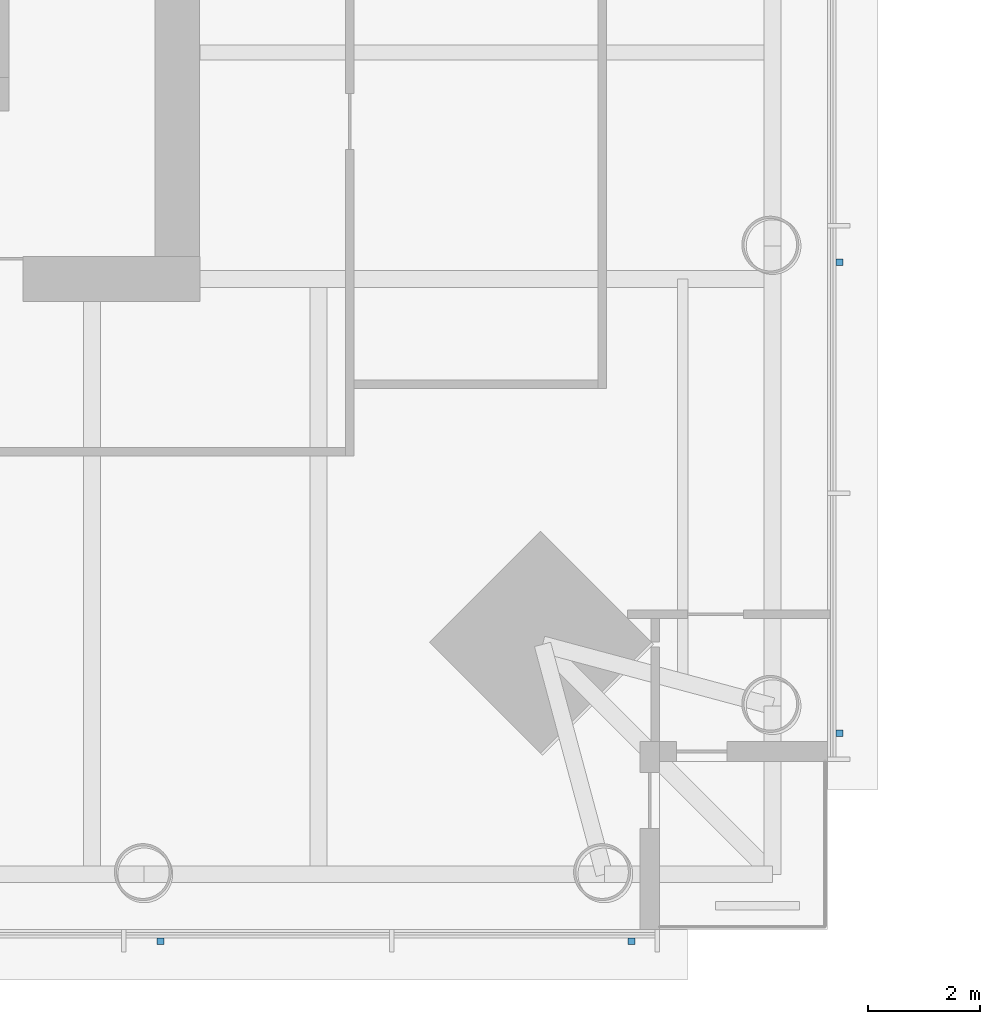
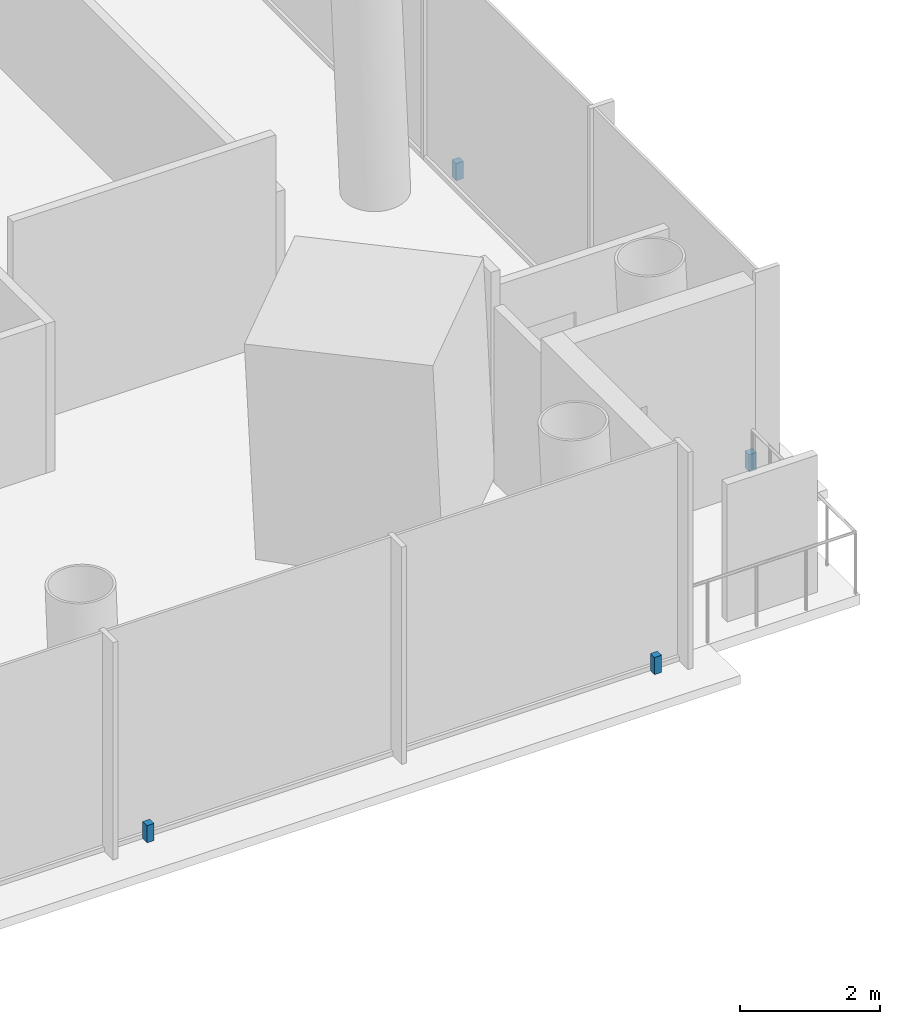
# One storey, part 19 of 26: 4 discrete accessories.
"""IFC4 building model written with IfcOpenShell, lengths in metres."""

import ifcopenshell
import ifcopenshell.guid

model = None  # the IFC model being written
_history = None  # IfcOwnerHistory: only IFC2X3 demands one
_inside = {}  # id of a spatial element -> (the spatial element, [elements in it])
_under = {}  # id of a project, library or spatial element -> (it, [spatial elements below it])
_declared = {}  # id of a project -> (the project, [libraries it declares])
_typed = {}  # id of a type object -> (the type object, [elements of that type])
_made_of = {}  # id of a material, layer set ... -> (it, [elements and type objects made of it])


def new_model(schema):
    """Start an empty IFC model of exactly this schema.

    Asked for "IFC4X3", IfcOpenShell would pick the latest addendum, in which some entities
    have other attributes; the version numbers below select the first issue.
    IFC2X3 requires an IfcOwnerHistory on every rooted entity: one is made here for all.
    """
    global model, _history
    if schema == "IFC4X3":
        model = ifcopenshell.file(schema_version=(4, 3, 0, 0))
    else:
        model = ifcopenshell.file(schema=schema)
    _inside.clear()
    _under.clear()
    _declared.clear()
    _typed.clear()
    _made_of.clear()
    _history = None
    if model.schema == "IFC2X3":
        org = make("IfcOrganization", Name="unknown")
        user = make(
            "IfcPersonAndOrganization",
            ThePerson=make("IfcPerson", FamilyName="unknown"),
            TheOrganization=org,
        )
        app = make(
            "IfcApplication",
            ApplicationDeveloper=org,
            Version="unknown",
            ApplicationFullName="unknown",
            ApplicationIdentifier="unknown",
        )
        _history = make(
            "IfcOwnerHistory",
            OwningUser=user,
            OwningApplication=app,
            ChangeAction="ADDED",
            CreationDate=0,
        )
    return model


def make(cls, **values):
    """One entity of the class cls with the attributes given. An attribute that is None is left unset."""
    return model.create_entity(
        cls, **{name: value for name, value in values.items() if value is not None}
    )


def rooted(cls, **values):
    """An entity with a GlobalId (a new one), such as an element, a storey or a relation."""
    return make(cls, GlobalId=ifcopenshell.guid.new(), OwnerHistory=_history, **values)


def si_unit(unit_type, name, prefix=None):
    """IfcSIUnit, for example si_unit("LENGTHUNIT", "METRE", prefix="MILLI")."""
    return make("IfcSIUnit", UnitType=unit_type, Prefix=prefix, Name=name)


def assignment(units):
    """IfcUnitAssignment: the units of a project."""
    return None if units is None else make("IfcUnitAssignment", Units=units)


def point(xyz):
    """IfcCartesianPoint."""
    return None if xyz is None else make("IfcCartesianPoint", Coordinates=xyz)


def direction(xyz):
    """IfcDirection."""
    return None if xyz is None else make("IfcDirection", DirectionRatios=xyz)


def frame(location, z_axis=None, x_axis=None):
    """IfcAxis2Placement3D, a coordinate frame: its origin and axes. An axis left out is left unset."""
    return make(
        "IfcAxis2Placement3D",
        Location=point(location),
        Axis=direction(z_axis),
        RefDirection=direction(x_axis),
    )


def frame_2d(location, x_axis=None):
    """IfcAxis2Placement2D, a coordinate frame in the plane: its origin and x axis."""
    return make(
        "IfcAxis2Placement2D", Location=point(location), RefDirection=direction(x_axis)
    )


def origin():
    """The frame at (0, 0, 0) with its axes left unset."""
    return frame((0.0, 0.0, 0.0))


def origin_2d():
    """The frame at (0, 0) in the plane with its x axis left unset."""
    return frame_2d((0.0, 0.0))


def place(relative_to, where):
    """IfcLocalPlacement: puts the frame where relative to a parent placement (None: the world)."""
    return make(
        "IfcLocalPlacement", PlacementRelTo=relative_to, RelativePlacement=where
    )


def context(
    kind, dimensions, precision=None, world=None, true_north=None, identifier=None
):
    """IfcGeometricRepresentationContext, for example the 3D "Model" context."""
    return make(
        "IfcGeometricRepresentationContext",
        ContextIdentifier=identifier,
        ContextType=kind,
        CoordinateSpaceDimension=dimensions,
        Precision=precision,
        WorldCoordinateSystem=world,
        TrueNorth=true_north,
    )


def subcontext(parent, identifier, kind, view, scale=None):
    """IfcGeometricRepresentationSubContext, for example "Body" below "Model"."""
    return make(
        "IfcGeometricRepresentationSubContext",
        ContextIdentifier=identifier,
        ContextType=kind,
        ParentContext=parent,
        TargetScale=scale,
        TargetView=view,
    )


def project(units=None, contexts=None):
    """IfcProject with its units and contexts."""
    return rooted(
        "IfcProject",
        Name="project",
        RepresentationContexts=contexts,
        UnitsInContext=assignment(units),
    )


def spatial(cls, under=None, at=None, **own):
    """A site, building, storey or space (cls), placed at a placement, below another one or the project."""
    s = rooted(cls, ObjectPlacement=at, **own)
    if under is not None:
        _under.setdefault(under.id(), (under, []))[1].append(s)
    return s


def profile(cls, at=None, kind="AREA", **sizes):
    """A parametric profile (cls). Its sizes go by their IFC names, for example OverallWidth=200.0."""
    return make(cls, ProfileType=kind, Position=at, **sizes)


def rectangle(**sizes):
    """IfcRectangleProfileDef."""
    return profile("IfcRectangleProfileDef", **sizes)


def extrude(swept, where, along, depth):
    """IfcExtrudedAreaSolid: the profile swept, set in the frame where, extruded along a direction by depth."""
    return make(
        "IfcExtrudedAreaSolid",
        SweptArea=swept,
        Position=where,
        ExtrudedDirection=direction(along),
        Depth=depth,
    )


def shape(context_of_items, identifier, shape_type, items):
    """IfcShapeRepresentation: the items that make up one representation, for example the "Body"."""
    return make(
        "IfcShapeRepresentation",
        ContextOfItems=context_of_items,
        RepresentationIdentifier=identifier,
        RepresentationType=shape_type,
        Items=items,
    )


def material(Name=None, Category=None):
    """IfcMaterial."""
    return make("IfcMaterial", Name=Name, Category=Category)


def made_of(thing, what):
    """Note that an element or type object is made of a material, layer set ...; save() writes the relation."""
    if what is not None:
        _made_of.setdefault(what.id(), (what, []))[1].append(thing)
    return thing


def type_object(cls, material=None, **own):
    """A type object (cls), such as IfcWallType, which elements share."""
    return made_of(rooted(cls, **own), material)


def element(
    cls,
    number,
    at=None,
    inside=None,
    cuts=None,
    type_object=None,
    material=None,
    context=None,
    identifier="Body",
    shape_type=None,
    held_by="IfcProductDefinitionShape",
    body=None,
    shapes=None,
    **own,
):
    """One element of the class cls, such as IfcWall. Its Tag is "e" and its number.

    at: its placement. inside: the storey or other place that contains it. cuts: it is an
    opening in that element (IfcRelVoidsElement). A single representation is given by context,
    identifier, shape_type and body (its items); several are given by shapes. held_by: the class
    of the entity that holds the representations. save() writes the other relations.
    """
    e = rooted(cls, Tag="e%d" % number, ObjectPlacement=at, **own)
    if body is not None:
        shapes = [shape(context, identifier, shape_type, body)]
    if shapes is not None:
        e.Representation = make(held_by, Representations=shapes)
    if inside is not None:
        _inside.setdefault(inside.id(), (inside, []))[1].append(e)
    if cuts is not None:
        rooted(
            "IfcRelVoidsElement", RelatingBuildingElement=cuts, RelatedOpeningElement=e
        )
    if type_object is not None:
        _typed.setdefault(type_object.id(), (type_object, []))[1].append(e)
    return made_of(e, material)


def aggregate(whole, parts):
    """IfcRelAggregates: a whole, such as a stair, and the parts it consists of."""
    return rooted("IfcRelAggregates", RelatingObject=whole, RelatedObjects=parts)


def save(model, path):
    """Write the relations noted so far, then the file.

    IfcRelAggregates (storeys below a building ...), IfcRelContainedInSpatialStructure (elements
    in a storey), IfcRelDefinesByType, IfcRelAssociatesMaterial and IfcRelDeclares: one each for
    every whole, place, type object, material and project.
    """
    for whole, parts in _under.values():
        aggregate(whole, parts)
    for where, things in _inside.values():
        rooted(
            "IfcRelContainedInSpatialStructure",
            RelatedElements=things,
            RelatingStructure=where,
        )
    for kind, things in _typed.values():
        rooted("IfcRelDefinesByType", RelatedObjects=things, RelatingType=kind)
    for what, things in _made_of.values():
        rooted("IfcRelAssociatesMaterial", RelatedObjects=things, RelatingMaterial=what)
    for by, libraries in _declared.values():
        rooted("IfcRelDeclares", RelatingContext=by, RelatedDefinitions=libraries)
    model.write(path)


model = new_model("IFC4")

# Units and contexts
model_context = context("Model", 3, precision=1e-05, world=origin(), true_north=direction((0.0, 1.0)))
body_context = subcontext(model_context, "Body", "Model", "MODEL_VIEW")
ifc_project = project(units=[si_unit("LENGTHUNIT", "METRE"), si_unit("AREAUNIT", "SQUARE_METRE"), si_unit("VOLUMEUNIT", "CUBIC_METRE"), si_unit("PLANEANGLEUNIT", "RADIAN"), si_unit("MASSUNIT", "GRAM", prefix="KILO")], contexts=[model_context])

# Site, building, storey
site_placement = place(None, origin())
site = spatial("IfcSite", under=ifc_project, at=site_placement, CompositionType="ELEMENT")
building_placement = place(site_placement, origin())
building = spatial("IfcBuilding", under=site, at=building_placement, Name="Ostroluk Exchange", CompositionType="ELEMENT")
storey_placement = place(building_placement, frame((0.0, 0.0, 36.199951171875)))
storey = spatial("IfcBuildingStorey", under=building, at=storey_placement, Name="L08", CompositionType="ELEMENT", Elevation=36.199951171875)

# Discrete accessories
ifc_material = material(Name="Stainless steel", Category="steel")
discrete_accessory_type = type_object("IfcDiscreteAccessoryType", Name="Fall-arrest anchor PN-EN 795 type C", PredefinedType="USERDEFINED", material=ifc_material)
for number, where, z_axis, x_axis, name in (
    (1, (57.60009765625, 21.2900390625, 0.0), (0.0, 0.0, 1.0), (1.0, 0.0, 0.0), "Fall-arrest anchor L08 south 5"),
    (2, (66.0, 21.2900390625, 0.0), (0.0, 0.0, 1.0), (1.0, 0.0, 0.0), "Fall-arrest anchor L08 south 6"),
    (3, (69.7099609375, 25.0, 0.0), (0.0, 0.0, 1.0), (1.0, 0.0, 0.0), "Fall-arrest anchor L08 east 1"),
    (4, (69.7099609375, 33.39990234375, 0.0), (0.0, 0.0, 1.0), (1.0, 0.0, 0.0), "Fall-arrest anchor L08 east 2"),
):
    element("IfcDiscreteAccessory", number, at=place(storey_placement, frame(where, z_axis=z_axis, x_axis=x_axis)), inside=storey, type_object=discrete_accessory_type, Name=name, ObjectType="FALL ARREST ANCHOR", PredefinedType="USERDEFINED", context=body_context, shape_type="SweptSolid", body=[
        extrude(rectangle(XDim=0.1201171875, YDim=0.1201171875, at=origin_2d()), origin(), (0.0, 0.0, 1.0), 0.300048828125),
    ])

save(model, "model.ifc")
